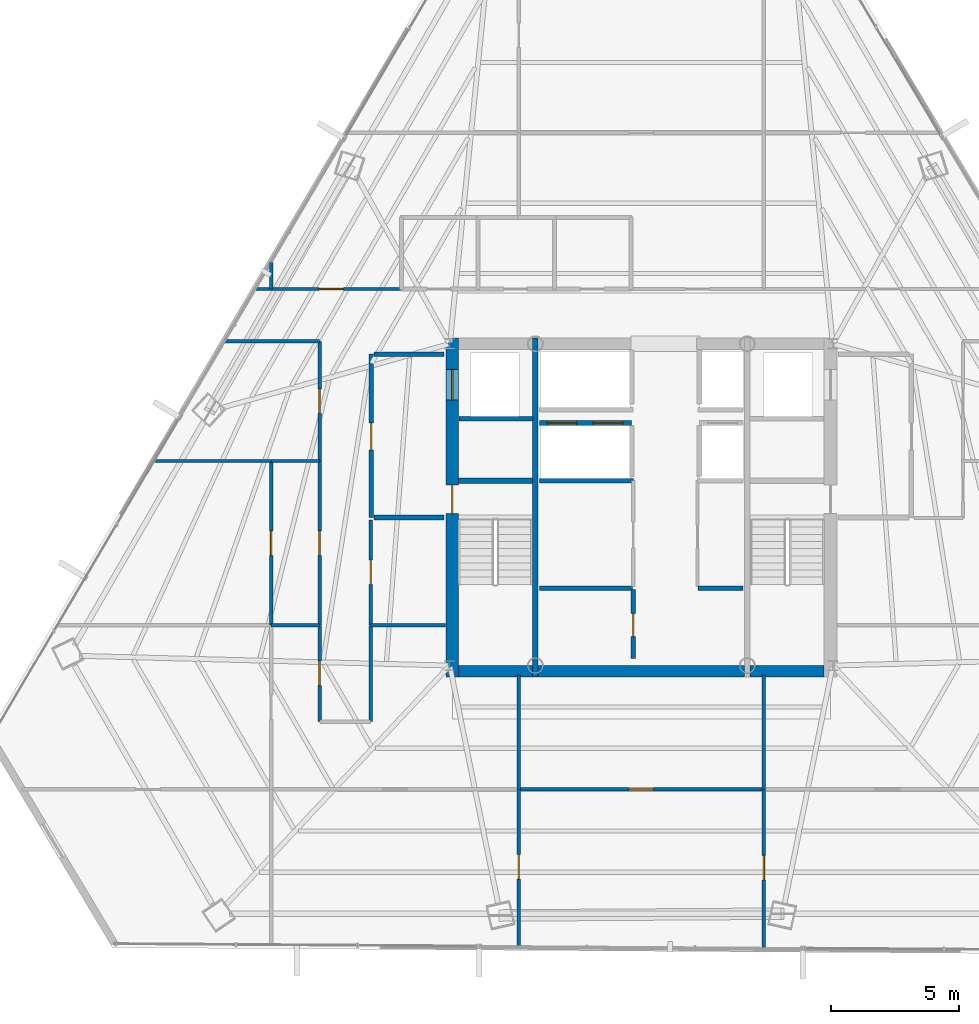
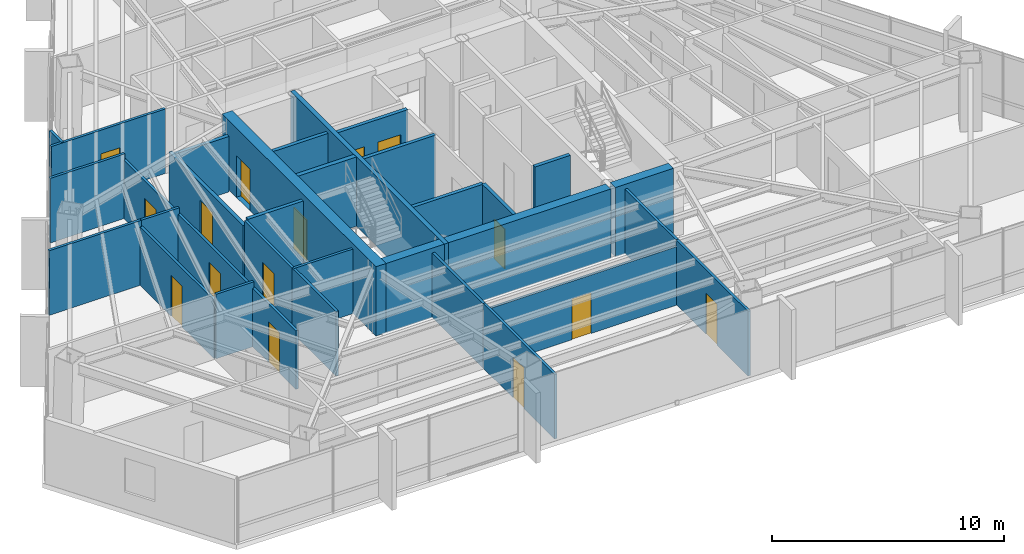
# One storey, part 35 of 41: 33 walls, 15 doors, 15 openings.
"""IFC4 building model written with IfcOpenShell, lengths in metres."""

from ifc_helpers import new_model, si_unit, direction, frame, frame_2d, origin, place, context, subcontext, project, spatial, rectangle, extrude, material, layer, layer_set, type_object, element, fill, save


model = new_model("IFC4")

# Units and contexts
model_context = context("Model", 3, precision=1e-05, world=origin(), true_north=direction((0.0, 1.0)))
body_context = subcontext(model_context, "Body", "Model", "MODEL_VIEW")
ifc_project = project(units=[si_unit("LENGTHUNIT", "METRE"), si_unit("AREAUNIT", "SQUARE_METRE"), si_unit("VOLUMEUNIT", "CUBIC_METRE"), si_unit("PLANEANGLEUNIT", "RADIAN"), si_unit("MASSUNIT", "GRAM", prefix="KILO")], contexts=[model_context])

# Site, building, storey
site_placement = place(None, origin())
site = spatial("IfcSite", under=ifc_project, at=site_placement, CompositionType="ELEMENT")
building_placement = place(site_placement, origin())
building = spatial("IfcBuilding", under=site, at=building_placement, Name="Caelisora Broadcast Tower", CompositionType="ELEMENT")
storey_placement = place(building_placement, frame((0.0, 0.0, 169.449951171875)))
storey = spatial("IfcBuildingStorey", under=building, at=storey_placement, Name="L44", CompositionType="ELEMENT", Elevation=169.449951171875)

# Wall, openings, doors
ifc_material_1 = material(Name="Concrete 50 MPa (AS 3600 S50)", Category="concrete")
ifc_layer_1 = layer(ifc_material_1, 0.5, Name="Concrete 50 MPa (AS 3600 S50)")
ifc_layer_set_1 = layer_set([ifc_layer_1], Name="Concrete 50 MPa (AS 3600 S50)")
wall_type_1 = type_object("IfcWallType", Name="CW2", PredefinedType="SHEAR", material=ifc_layer_set_1)
wall_1_placement = place(storey_placement, frame((30.590087890625, 16.949951171875, 0.0), z_axis=(0.0, 0.0, 1.0), x_axis=(0.0, 1.0, 0.0)))
wall_1 = element("IfcWall", 1, at=wall_1_placement, inside=storey, type_object=wall_type_1, Name="L44 core shear wall CW2", PredefinedType="SHEAR", context=body_context, shape_type="SweptSolid", body=[
    extrude(rectangle(XDim=13.275146484375, YDim=0.5, at=frame_2d((6.6376953125, 0.0))), origin(), (0.0, 0.0, 1.0), 3.650146484375),
])
opening_1_placement = place(wall_1_placement, frame((6.39990234375, 0.0, 0.0)))
opening_1 = element("IfcOpeningElement", 2, at=opening_1_placement, cuts=wall_1, Name="Opening FD04", PredefinedType="OPENING", context=body_context, shape_type="SweptSolid", body=[
    extrude(rectangle(XDim=1.1201171875, YDim=2.14990234375, at=frame_2d((0.56005859375, 1.074951171875))), frame((0.0, 0.261962890625, 0.0), z_axis=(0.0, -1.0, 0.0), x_axis=(1.0, 0.0, 0.0)), (0.0, 0.0, 1.0), 0.52392578125),
])
opening_2_placement = place(wall_1_placement, frame((10.85009765625, 0.0, 0.0)))
opening_2 = element("IfcOpeningElement", 3, at=opening_2_placement, cuts=wall_1, Name="Opening LD04", PredefinedType="OPENING", context=body_context, shape_type="SweptSolid", body=[
    extrude(rectangle(XDim=1.199951171875, YDim=2.199951171875, at=frame_2d((0.60009765625, 1.10009765625))), frame((0.0, 0.261962890625, 0.0), z_axis=(0.0, -1.0, 0.0), x_axis=(1.0, 0.0, 0.0)), (0.0, 0.0, 1.0), 0.52392578125),
])
ifc_material_2 = material(Name="Pressurised Fire-Isolated Stair Door", Category="steel")
door_type_1 = type_object("IfcDoorType", Name="FD04", OperationType="NOTDEFINED", PredefinedType="DOOR", material=ifc_material_2)
door_1_placement = place(opening_1_placement, origin())
door_1 = element("IfcDoor", 4, at=door_1_placement, inside=storey, type_object=door_type_1, Name="L44 door FD04 (L44-DR-ST1)", OperationType="SINGLE_SWING_LEFT", OverallHeight=2.14990234375, OverallWidth=1.1201171875, PredefinedType="DOOR", context=body_context, shape_type="SweptSolid", body=[
    extrude(rectangle(XDim=1.1201171875, YDim=2.14990234375, at=frame_2d((0.56005859375, 1.074951171875))), frame((0.0, 0.02490234375, 0.0), z_axis=(0.0, -1.0, 0.0), x_axis=(1.0, 0.0, 0.0)), (0.0, 0.0, 1.0), 0.050048828125),
])
fill(opening_1, door_1)
ifc_material_3 = material(Name="Emergency Firefighting Lift Sliding Landing Door", Category="steel")
door_type_2 = type_object("IfcDoorType", Name="LD04", OperationType="NOTDEFINED", PredefinedType="DOOR", material=ifc_material_3)
door_2_placement = place(opening_2_placement, origin())
door_2 = element("IfcDoor", 5, at=door_2_placement, inside=storey, type_object=door_type_2, Name="L44 door LD04 (L44-LD-FFL1)", OperationType="SLIDING_TO_LEFT", OverallHeight=2.199951171875, OverallWidth=1.199951171875, PredefinedType="DOOR", context=body_context, shape_type="SweptSolid", body=[
    extrude(rectangle(XDim=1.199951171875, YDim=2.199951171875, at=frame_2d((0.60009765625, 1.10009765625))), frame((0.0, 0.02490234375, 0.0), z_axis=(0.0, -1.0, 0.0), x_axis=(1.0, 0.0, 0.0)), (0.0, 0.0, 1.0), 0.050048828125),
])
fill(opening_2, door_2)

# Walls
ifc_layer_2 = layer(ifc_material_1, 0.449951171875, Name="Concrete 50 MPa (AS 3600 S50)")
ifc_layer_set_2 = layer_set([ifc_layer_2], Name="Concrete 50 MPa (AS 3600 S50)")
wall_type_2 = type_object("IfcWallType", Name="CW5", PredefinedType="SHEAR", material=ifc_layer_set_2)
wall_2_placement = place(storey_placement, frame((30.840087890625, 17.175048828125, 0.0), z_axis=(0.0, 0.0, 1.0), x_axis=(1.0, 0.0, 0.0)))
element("IfcWall", 6, at=wall_2_placement, inside=storey, type_object=wall_type_2, Name="L44 core shear wall CW5", PredefinedType="SHEAR", context=body_context, shape_type="SweptSolid", body=[
    extrude(rectangle(XDim=2.89990234375, YDim=0.449951171875, at=frame_2d((1.449951171875, 0.0))), origin(), (0.0, 0.0, 1.0), 3.650146484375),
])
wall_3_placement = place(storey_placement, frame((33.9599609375, 17.175048828125, 0.0), z_axis=(0.0, 0.0, 1.0), x_axis=(1.0, 0.0, 0.0)))
element("IfcWall", 7, at=wall_3_placement, inside=storey, type_object=wall_type_2, Name="L44 core shear wall CW5", PredefinedType="SHEAR", context=body_context, shape_type="SweptSolid", body=[
    extrude(rectangle(XDim=8.080078125, YDim=0.449951171875, at=frame_2d((4.0400390625, 0.0))), origin(), (0.0, 0.0, 1.0), 3.650146484375),
])
wall_4_placement = place(storey_placement, frame((42.260009765625, 17.175048828125, 0.0), z_axis=(0.0, 0.0, 1.0), x_axis=(1.0, 0.0, 0.0)))
element("IfcWall", 8, at=wall_4_placement, inside=storey, type_object=wall_type_2, Name="L44 core shear wall CW5", PredefinedType="SHEAR", context=body_context, shape_type="SweptSolid", body=[
    extrude(rectangle(XDim=2.89990234375, YDim=0.449951171875, at=frame_2d((1.449951171875, 0.0))), origin(), (0.0, 0.0, 1.0), 3.650146484375),
])
ifc_layer_3 = layer(ifc_material_1, 0.219970703125, Name="Concrete 50 MPa (AS 3600 S50)")
ifc_layer_set_3 = layer_set([ifc_layer_3], Name="Concrete 50 MPa (AS 3600 S50)")
wall_type_3 = type_object("IfcWallType", Name="CW7", PredefinedType="SHEAR", material=ifc_layer_set_3)
wall_5_placement = place(storey_placement, frame((33.85009765625, 16.949951171875, 0.0), z_axis=(0.0, 0.0, 1.0), x_axis=(0.0, 1.0, 0.0)))
element("IfcWall", 9, at=wall_5_placement, inside=storey, type_object=wall_type_3, Name="L44 core shear wall CW7", PredefinedType="SHEAR", context=body_context, shape_type="SweptSolid", body=[
    extrude(rectangle(XDim=13.275146484375, YDim=0.219970703125, at=frame_2d((6.6376953125, 0.0))), origin(), (0.0, 0.0, 1.0), 3.650146484375),
])
wall_6_placement = place(storey_placement, frame((30.840087890625, 24.639892578125, 0.0), z_axis=(0.0, 0.0, 1.0), x_axis=(1.0, 0.0, 0.0)))
element("IfcWall", 10, at=wall_6_placement, inside=storey, type_object=wall_type_3, Name="L44 core shear wall CW7", PredefinedType="SHEAR", context=body_context, shape_type="SweptSolid", body=[
    extrude(rectangle(XDim=2.89990234375, YDim=0.219970703125, at=frame_2d((1.449951171875, 0.0))), origin(), (0.0, 0.0, 1.0), 3.650146484375),
])

# Wall, openings, doors
ifc_material_4 = material(Name="Fire-Rated Gypsum Shaft and Compartment Wall", Category="gypsum")
ifc_layer_4 = layer(ifc_material_4, 0.179931640625, Name="Fire-Rated Gypsum Shaft and Compartment Wall")
ifc_layer_set_4 = layer_set([ifc_layer_4], Name="Fire-Rated Gypsum Shaft and Compartment Wall")
wall_type_4 = type_object("IfcWallType", Name="PW2", PredefinedType="PARTITIONING", material=ifc_layer_set_4)
wall_7_placement = place(storey_placement, frame((34.02001953125, 26.89990234375, 0.0), z_axis=(0.0, 0.0, 1.0), x_axis=(1.0, 0.0, 0.0)))
wall_7 = element("IfcWall", 11, at=wall_7_placement, inside=storey, type_object=wall_type_4, Name="L44 fire compartment wall PW2", PredefinedType="PARTITIONING", context=body_context, shape_type="SweptSolid", body=[
    extrude(rectangle(XDim=3.60009765625, YDim=0.179931640625, at=frame_2d((1.800048828125, 0.0))), origin(), (0.0, 0.0, 1.0), 3.400146484375),
])
opening_3_placement = place(wall_7_placement, frame((0.300048828125, 0.0, 0.0)))
opening_3 = element("IfcOpeningElement", 12, at=opening_3_placement, cuts=wall_7, Name="Opening LD02", PredefinedType="OPENING", context=body_context, shape_type="SweptSolid", body=[
    extrude(rectangle(XDim=1.14990234375, YDim=2.199951171875, at=frame_2d((0.574951171875, 1.10009765625))), frame((0.0, 0.10205078125, 0.0), z_axis=(0.0, -1.0, 0.0), x_axis=(1.0, 0.0, 0.0)), (0.0, 0.0, 1.0), 0.203857421875),
])
opening_4_placement = place(wall_7_placement, frame((2.10009765625, 0.0, 0.0)))
opening_4 = element("IfcOpeningElement", 13, at=opening_4_placement, cuts=wall_7, Name="Opening LD02", PredefinedType="OPENING", context=body_context, shape_type="SweptSolid", body=[
    extrude(rectangle(XDim=1.14990234375, YDim=2.199951171875, at=frame_2d((0.574951171875, 1.10009765625))), frame((0.0, 0.10205078125, 0.0), z_axis=(0.0, -1.0, 0.0), x_axis=(1.0, 0.0, 0.0)), (0.0, 0.0, 1.0), 0.203857421875),
])
ifc_material_5 = material(Name="High-Speed Express Lift Sliding Landing Door", Category="steel")
door_type_3 = type_object("IfcDoorType", Name="LD02", OperationType="NOTDEFINED", PredefinedType="DOOR", material=ifc_material_5)
door_3_placement = place(opening_3_placement, origin())
door_3 = element("IfcDoor", 14, at=door_3_placement, inside=storey, type_object=door_type_3, Name="L44 door LD02 (L44-LD-PLM1)", OperationType="SLIDING_TO_LEFT", OverallHeight=2.199951171875, OverallWidth=1.14990234375, PredefinedType="DOOR", context=body_context, shape_type="SweptSolid", body=[
    extrude(rectangle(XDim=1.14990234375, YDim=2.199951171875, at=frame_2d((0.574951171875, 1.10009765625))), frame((0.0, 0.02490234375, 0.0), z_axis=(0.0, -1.0, 0.0), x_axis=(1.0, 0.0, 0.0)), (0.0, 0.0, 1.0), 0.050048828125),
])
fill(opening_3, door_3)
door_4_placement = place(opening_4_placement, origin())
door_4 = element("IfcDoor", 15, at=door_4_placement, inside=storey, type_object=door_type_3, Name="L44 door LD02 (L44-LD-PLM2)", OperationType="SLIDING_TO_RIGHT", OverallHeight=2.199951171875, OverallWidth=1.14990234375, PredefinedType="DOOR", context=body_context, shape_type="SweptSolid", body=[
    extrude(rectangle(XDim=1.14990234375, YDim=2.199951171875, at=frame_2d((0.574951171875, 1.10009765625))), frame((0.0, 0.02490234375, 0.0), z_axis=(0.0, -1.0, 0.0), x_axis=(1.0, 0.0, 0.0)), (0.0, 0.0, 1.0), 0.050048828125),
])
fill(opening_4, door_4)

# Wall
wall_8_placement = place(storey_placement, frame((34.02001953125, 24.639892578125, 0.0), z_axis=(0.0, 0.0, 1.0), x_axis=(1.0, 0.0, 0.0)))
element("IfcWall", 16, at=wall_8_placement, inside=storey, type_object=wall_type_4, Name="L44 fire compartment wall PW2", PredefinedType="PARTITIONING", context=body_context, shape_type="SweptSolid", body=[
    extrude(rectangle(XDim=3.679931640625, YDim=0.179931640625, at=frame_2d((1.83984375, 0.0))), origin(), (0.0, 0.0, 1.0), 3.400146484375),
])

# Wall, opening, door
wall_9_placement = place(storey_placement, frame((27.419921875, 23.199951171875, 0.0), z_axis=(0.0, 0.0, 1.0), x_axis=(0.0, 1.0, 0.0)))
wall_9 = element("IfcWall", 17, at=wall_9_placement, inside=storey, type_object=wall_type_4, Name="L44 fire compartment wall PW2", PredefinedType="PARTITIONING", context=body_context, shape_type="SweptSolid", body=[
    extrude(rectangle(XDim=6.400146484375, YDim=0.179931640625, at=frame_2d((3.2001953125, 0.0))), origin(), (0.0, 0.0, 1.0), 3.077880859375),
])
opening_5_placement = place(wall_9_placement, frame((2.64990234375, 0.0, 0.0)))
opening_5 = element("IfcOpeningElement", 18, at=opening_5_placement, cuts=wall_9, Name="Opening FD02", PredefinedType="OPENING", context=body_context, shape_type="SweptSolid", body=[
    extrude(rectangle(XDim=1.050048828125, YDim=2.14990234375, at=frame_2d((0.52490234375, 1.074951171875))), frame((0.0, 0.10205078125, 0.0), z_axis=(0.0, -1.0, 0.0), x_axis=(1.0, 0.0, 0.0)), (0.0, 0.0, 1.0), 0.203857421875),
])
ifc_material_6 = material(Name="Single-Leaf Steel Fire Lobby Door", Category="steel")
door_type_4 = type_object("IfcDoorType", Name="FD02", OperationType="NOTDEFINED", PredefinedType="DOOR", material=ifc_material_6)
door_5_placement = place(opening_5_placement, origin())
door_5 = element("IfcDoor", 19, at=door_5_placement, inside=storey, type_object=door_type_4, Name="L44 door FD02 (L44-DR-P01D1)", OperationType="SINGLE_SWING_RIGHT", OverallHeight=2.14990234375, OverallWidth=1.050048828125, PredefinedType="DOOR", context=body_context, shape_type="SweptSolid", body=[
    extrude(rectangle(XDim=1.050048828125, YDim=2.14990234375, at=frame_2d((0.52490234375, 1.074951171875))), frame((0.0, 0.02490234375, 0.0), z_axis=(0.0, -1.0, 0.0), x_axis=(1.0, 0.0, 0.0)), (0.0, 0.0, 1.0), 0.050048828125),
])
fill(opening_5, door_5)

# Walls
wall_10_placement = place(storey_placement, frame((27.52001953125, 23.199951171875, 0.0), z_axis=(0.0, 0.0, 1.0), x_axis=(1.0, 0.0, 0.0)))
element("IfcWall", 20, at=wall_10_placement, inside=storey, type_object=wall_type_4, Name="L44 fire compartment wall PW2", PredefinedType="PARTITIONING", context=body_context, shape_type="SweptSolid", body=[
    extrude(rectangle(XDim=2.760009765625, YDim=0.179931640625, at=frame_2d((1.3798828125, 0.0))), origin(), (0.0, 0.0, 1.0), 3.400146484375),
])
wall_11_placement = place(storey_placement, frame((27.52001953125, 29.60009765625, 0.0), z_axis=(0.0, 0.0, 1.0), x_axis=(1.0, 0.0, 0.0)))
element("IfcWall", 21, at=wall_11_placement, inside=storey, type_object=wall_type_4, Name="L44 fire compartment wall PW2", PredefinedType="PARTITIONING", context=body_context, shape_type="SweptSolid", body=[
    extrude(rectangle(XDim=2.760009765625, YDim=0.179931640625, at=frame_2d((1.3798828125, 0.0))), origin(), (0.0, 0.0, 1.0), 2.924560546875),
])
wall_12_placement = place(storey_placement, frame((30.860107421875, 27.070068359375, 0.0), z_axis=(0.0, 0.0, 1.0), x_axis=(1.0, 0.0, 0.0)))
element("IfcWall", 22, at=wall_12_placement, inside=storey, type_object=wall_type_4, Name="L44 fire compartment wall PW2", PredefinedType="PARTITIONING", context=body_context, shape_type="SweptSolid", body=[
    extrude(rectangle(XDim=2.89990234375, YDim=0.179931640625, at=frame_2d((1.449951171875, 0.0))), origin(), (0.0, 0.0, 1.0), 3.400146484375),
])
wall_13_placement = place(storey_placement, frame((34.02001953125, 20.419921875, 0.0), z_axis=(0.0, 0.0, 1.0), x_axis=(1.0, 0.0, 0.0)))
element("IfcWall", 23, at=wall_13_placement, inside=storey, type_object=wall_type_4, Name="L44 fire compartment wall PW2", PredefinedType="PARTITIONING", context=body_context, shape_type="SweptSolid", body=[
    extrude(rectangle(XDim=3.639892578125, YDim=0.179931640625, at=frame_2d((1.81982421875, 0.0))), origin(), (0.0, 0.0, 1.0), 3.400146484375),
])
wall_14_placement = place(storey_placement, frame((40.219970703125, 20.419921875, 0.0), z_axis=(0.0, 0.0, 1.0), x_axis=(1.0, 0.0, 0.0)))
element("IfcWall", 24, at=wall_14_placement, inside=storey, type_object=wall_type_4, Name="L44 fire compartment wall PW2", PredefinedType="PARTITIONING", context=body_context, shape_type="SweptSolid", body=[
    extrude(rectangle(XDim=1.760009765625, YDim=0.179931640625, at=frame_2d((0.8798828125, 0.0))), origin(), (0.0, 0.0, 1.0), 3.400146484375),
])

# Wall, opening, door
wall_15_placement = place(storey_placement, frame((37.679931640625, 17.679931640625, 0.0), z_axis=(0.0, 0.0, 1.0), x_axis=(0.0, 1.0, 0.0)))
wall_15 = element("IfcWall", 25, at=wall_15_placement, inside=storey, type_object=wall_type_4, Name="L44 fire compartment wall PW2", PredefinedType="PARTITIONING", context=body_context, shape_type="SweptSolid", body=[
    extrude(rectangle(XDim=2.699951171875, YDim=0.179931640625, at=frame_2d((1.35009765625, 0.0))), origin(), (0.0, 0.0, 1.0), 3.400146484375),
])
opening_6_placement = place(wall_15_placement, frame((0.85009765625, 0.0, 0.0)))
opening_6 = element("IfcOpeningElement", 26, at=opening_6_placement, cuts=wall_15, Name="Opening FD03", PredefinedType="OPENING", context=body_context, shape_type="SweptSolid", body=[
    extrude(rectangle(XDim=0.89990234375, YDim=2.10009765625, at=frame_2d((0.449951171875, 1.050048828125))), frame((0.0, 0.10205078125, 0.0), z_axis=(0.0, -1.0, 0.0), x_axis=(1.0, 0.0, 0.0)), (0.0, 0.0, 1.0), 0.203857421875),
])
ifc_material_7 = material(Name="Single-Leaf Steel Riser Fire Access Door", Category="steel")
door_type_5 = type_object("IfcDoorType", Name="FD03", OperationType="NOTDEFINED", PredefinedType="DOOR", material=ifc_material_7)
door_6_placement = place(opening_6_placement, origin())
door_6 = element("IfcDoor", 27, at=door_6_placement, inside=storey, type_object=door_type_5, Name="L44 door FD03 (L44-DR-P13D1)", OperationType="SINGLE_SWING_RIGHT", OverallHeight=2.10009765625, OverallWidth=0.89990234375, PredefinedType="DOOR", context=body_context, shape_type="SweptSolid", body=[
    extrude(rectangle(XDim=0.89990234375, YDim=2.10009765625, at=frame_2d((0.449951171875, 1.050048828125))), frame((0.0, 0.02490234375, 0.0), z_axis=(0.0, -1.0, 0.0), x_axis=(1.0, 0.0, 0.0)), (0.0, 0.0, 1.0), 0.050048828125),
])
fill(opening_6, door_6)

ifc_material_8 = material(Name="Acoustic Steel-Stud Plasterboard Partition", Category="gypsum")
ifc_layer_5 = layer(ifc_material_8, 0.1298828125, Name="Acoustic Steel-Stud Plasterboard Partition")
ifc_layer_set_5 = layer_set([ifc_layer_5], Name="Acoustic Steel-Stud Plasterboard Partition")
wall_type_5 = type_object("IfcWallType", Name="PW3", PredefinedType="PARTITIONING", material=ifc_layer_set_5)
wall_16_placement = place(storey_placement, frame((33.205078125, 12.550048828125, 0.0), z_axis=(0.0, 0.0, 1.0), x_axis=(1.0, 0.0, 0.0)))
wall_16 = element("IfcWall", 28, at=wall_16_placement, inside=storey, type_object=wall_type_5, Name="L44 internal partition PW3", PredefinedType="PARTITIONING", context=body_context, shape_type="SweptSolid", body=[
    extrude(rectangle(XDim=9.58984375, YDim=0.1298828125, at=frame_2d((4.794921875, 0.0))), origin(), (0.0, 0.0, 1.0), 3.077880859375),
])
opening_7_placement = place(wall_16_placement, frame((4.31494140625, 0.0, 0.0)))
opening_7 = element("IfcOpeningElement", 29, at=opening_7_placement, cuts=wall_16, Name="Opening D01", PredefinedType="OPENING", context=body_context, shape_type="SweptSolid", body=[
    extrude(rectangle(XDim=0.9599609375, YDim=2.14990234375, at=frame_2d((0.47998046875, 1.074951171875))), frame((0.0, 0.076904296875, 0.0), z_axis=(0.0, -1.0, 0.0), x_axis=(1.0, 0.0, 0.0)), (0.0, 0.0, 1.0), 0.15380859375),
])
ifc_material_9 = material(Name="Solid-Core Timber Acoustic Office Door", Category="wood")
door_type_6 = type_object("IfcDoorType", Name="D01", OperationType="NOTDEFINED", PredefinedType="DOOR", material=ifc_material_9)
door_7_placement = place(opening_7_placement, origin())
door_7 = element("IfcDoor", 30, at=door_7_placement, inside=storey, type_object=door_type_6, Name="L44 door D01 (L44-DR-P31D1)", OperationType="SINGLE_SWING_RIGHT", OverallHeight=2.14990234375, OverallWidth=0.9599609375, PredefinedType="DOOR", context=body_context, shape_type="SweptSolid", body=[
    extrude(rectangle(XDim=0.9599609375, YDim=2.14990234375, at=frame_2d((0.47998046875, 1.074951171875))), frame((0.0, 0.02490234375, 0.0), z_axis=(0.0, -1.0, 0.0), x_axis=(1.0, 0.0, 0.0)), (0.0, 0.0, 1.0), 0.050048828125),
])
fill(opening_7, door_7)

wall_17_placement = place(storey_placement, frame((25.39990234375, 18.985107421875, 0.0), z_axis=(0.0, 0.0, 1.0), x_axis=(0.0, 1.0, 0.0)))
wall_17 = element("IfcWall", 31, at=wall_17_placement, inside=storey, type_object=wall_type_5, Name="L44 internal partition PW3", PredefinedType="PARTITIONING", context=body_context, shape_type="SweptSolid", body=[
    extrude(rectangle(XDim=6.419921875, YDim=0.1298828125, at=frame_2d((3.2099609375, 0.0))), origin(), (0.0, 0.0, 1.0), 3.077880859375),
])
opening_8_placement = place(wall_17_placement, frame((2.72998046875, 0.0, 0.0)))
opening_8 = element("IfcOpeningElement", 32, at=opening_8_placement, cuts=wall_17, Name="Opening D01", PredefinedType="OPENING", context=body_context, shape_type="SweptSolid", body=[
    extrude(rectangle(XDim=0.9599609375, YDim=2.14990234375, at=frame_2d((0.47998046875, 1.074951171875))), frame((0.0, 0.076904296875, 0.0), z_axis=(0.0, -1.0, 0.0), x_axis=(1.0, 0.0, 0.0)), (0.0, 0.0, 1.0), 0.15380859375),
])
door_8_placement = place(opening_8_placement, origin())
door_8 = element("IfcDoor", 33, at=door_8_placement, inside=storey, type_object=door_type_6, Name="L44 door D01 (L44-DR-P42D1)", OperationType="SINGLE_SWING_LEFT", OverallHeight=2.14990234375, OverallWidth=0.9599609375, PredefinedType="DOOR", context=body_context, shape_type="SweptSolid", body=[
    extrude(rectangle(XDim=0.9599609375, YDim=2.14990234375, at=frame_2d((0.47998046875, 1.074951171875))), frame((0.0, 0.02490234375, 0.0), z_axis=(0.0, -1.0, 0.0), x_axis=(1.0, 0.0, 0.0)), (0.0, 0.0, 1.0), 0.050048828125),
])
fill(opening_8, door_8)

wall_18_placement = place(storey_placement, frame((23.5, 18.985107421875, 0.0), z_axis=(0.0, 0.0, 1.0), x_axis=(0.0, 1.0, 0.0)))
wall_18 = element("IfcWall", 34, at=wall_18_placement, inside=storey, type_object=wall_type_5, Name="L44 internal partition PW3", PredefinedType="PARTITIONING", context=body_context, shape_type="SweptSolid", body=[
    extrude(rectangle(XDim=6.419921875, YDim=0.1298828125, at=frame_2d((3.2099609375, 0.0))), origin(), (0.0, 0.0, 1.0), 3.077880859375),
])
opening_9_placement = place(wall_18_placement, frame((2.72998046875, 0.0, 0.0)))
opening_9 = element("IfcOpeningElement", 35, at=opening_9_placement, cuts=wall_18, Name="Opening D01", PredefinedType="OPENING", context=body_context, shape_type="SweptSolid", body=[
    extrude(rectangle(XDim=0.9599609375, YDim=2.14990234375, at=frame_2d((0.47998046875, 1.074951171875))), frame((0.0, 0.076904296875, 0.0), z_axis=(0.0, -1.0, 0.0), x_axis=(1.0, 0.0, 0.0)), (0.0, 0.0, 1.0), 0.15380859375),
])
door_9_placement = place(opening_9_placement, origin())
door_9 = element("IfcDoor", 36, at=door_9_placement, inside=storey, type_object=door_type_6, Name="L44 door D01 (L44-DR-P43D1)", OperationType="SINGLE_SWING_RIGHT", OverallHeight=2.14990234375, OverallWidth=0.9599609375, PredefinedType="DOOR", context=body_context, shape_type="SweptSolid", body=[
    extrude(rectangle(XDim=0.9599609375, YDim=2.14990234375, at=frame_2d((0.47998046875, 1.074951171875))), frame((0.0, 0.02490234375, 0.0), z_axis=(0.0, -1.0, 0.0), x_axis=(1.0, 0.0, 0.0)), (0.0, 0.0, 1.0), 0.050048828125),
])
fill(opening_9, door_9)

wall_19_placement = place(storey_placement, frame((42.800048828125, 6.328857421875, 0.0), z_axis=(0.0, 0.0, 1.0), x_axis=(0.0, 1.0, 0.0)))
wall_19 = element("IfcWall", 37, at=wall_19_placement, inside=storey, type_object=wall_type_5, Name="L44 internal partition PW3", PredefinedType="PARTITIONING", context=body_context, shape_type="SweptSolid", body=[
    extrude(rectangle(XDim=6.216064453125, YDim=0.1298828125, at=frame_2d((3.10791015625, 0.0))), origin(), (0.0, 0.0, 1.0), 3.400146484375),
])
opening_10_placement = place(wall_19_placement, frame((2.677001953125, 0.0, 0.0)))
opening_10 = element("IfcOpeningElement", 38, at=opening_10_placement, cuts=wall_19, Name="Opening D01", PredefinedType="OPENING", context=body_context, shape_type="SweptSolid", body=[
    extrude(rectangle(XDim=0.9599609375, YDim=2.14990234375, at=frame_2d((0.47998046875, 1.074951171875))), frame((0.0, 0.076904296875, 0.0), z_axis=(0.0, -1.0, 0.0), x_axis=(1.0, 0.0, 0.0)), (0.0, 0.0, 1.0), 0.15380859375),
])
door_10_placement = place(opening_10_placement, origin())
door_10 = element("IfcDoor", 39, at=door_10_placement, inside=storey, type_object=door_type_6, Name="L44 door D01 (L44-DR-P48D1)", OperationType="SINGLE_SWING_LEFT", OverallHeight=2.14990234375, OverallWidth=0.9599609375, PredefinedType="DOOR", context=body_context, shape_type="SweptSolid", body=[
    extrude(rectangle(XDim=0.9599609375, YDim=2.14990234375, at=frame_2d((0.47998046875, 1.074951171875))), frame((0.0, 0.02490234375, 0.0), z_axis=(0.0, -1.0, 0.0), x_axis=(1.0, 0.0, 0.0)), (0.0, 0.0, 1.0), 0.050048828125),
])
fill(opening_10, door_10)

wall_20_placement = place(storey_placement, frame((33.199951171875, 6.39208984375, 0.0), z_axis=(0.0, 0.0, 1.0), x_axis=(0.0, 1.0, 0.0)))
wall_20 = element("IfcWall", 40, at=wall_20_placement, inside=storey, type_object=wall_type_5, Name="L44 internal partition PW3", PredefinedType="PARTITIONING", context=body_context, shape_type="SweptSolid", body=[
    extrude(rectangle(XDim=6.15283203125, YDim=0.1298828125, at=frame_2d((3.076416015625, 0.0))), origin(), (0.0, 0.0, 1.0), 3.400146484375),
])
opening_11_placement = place(wall_20_placement, frame((2.64306640625, 0.0, 0.0)))
opening_11 = element("IfcOpeningElement", 41, at=opening_11_placement, cuts=wall_20, Name="Opening D01", PredefinedType="OPENING", context=body_context, shape_type="SweptSolid", body=[
    extrude(rectangle(XDim=0.9599609375, YDim=2.14990234375, at=frame_2d((0.47998046875, 1.074951171875))), frame((0.0, 0.076904296875, 0.0), z_axis=(0.0, -1.0, 0.0), x_axis=(1.0, 0.0, 0.0)), (0.0, 0.0, 1.0), 0.15380859375),
])
door_11_placement = place(opening_11_placement, origin())
door_11 = element("IfcDoor", 42, at=door_11_placement, inside=storey, type_object=door_type_6, Name="L44 door D01 (L44-DR-P49D1)", OperationType="SINGLE_SWING_RIGHT", OverallHeight=2.14990234375, OverallWidth=0.9599609375, PredefinedType="DOOR", context=body_context, shape_type="SweptSolid", body=[
    extrude(rectangle(XDim=0.9599609375, YDim=2.14990234375, at=frame_2d((0.47998046875, 1.074951171875))), frame((0.0, 0.02490234375, 0.0), z_axis=(0.0, -1.0, 0.0), x_axis=(1.0, 0.0, 0.0)), (0.0, 0.0, 1.0), 0.050048828125),
])
fill(opening_11, door_11)

wall_21_placement = place(storey_placement, frame((22.91455078125, 32.14990234375, 0.0), z_axis=(0.0, 0.0, 1.0), x_axis=(1.0, 0.0, 0.0)))
wall_21 = element("IfcWall", 43, at=wall_21_placement, inside=storey, type_object=wall_type_5, Name="L44 internal partition PW3", PredefinedType="PARTITIONING", context=body_context, shape_type="SweptSolid", body=[
    extrude(rectangle(XDim=5.680419921875, YDim=0.1298828125, at=frame_2d((2.84033203125, 0.0))), origin(), (0.0, 0.0, 1.0), 3.400146484375),
])
opening_12_placement = place(wall_21_placement, frame((2.4599609375, 0.0, 0.0)))
opening_12 = element("IfcOpeningElement", 44, at=opening_12_placement, cuts=wall_21, Name="Opening D01", PredefinedType="OPENING", context=body_context, shape_type="SweptSolid", body=[
    extrude(rectangle(XDim=0.9599609375, YDim=2.14990234375, at=frame_2d((0.47998046875, 1.074951171875))), frame((0.0, 0.076904296875, 0.0), z_axis=(0.0, -1.0, 0.0), x_axis=(1.0, 0.0, 0.0)), (0.0, 0.0, 1.0), 0.15380859375),
])
door_12_placement = place(opening_12_placement, origin())
door_12 = element("IfcDoor", 45, at=door_12_placement, inside=storey, type_object=door_type_6, Name="L44 door D01 (L44-DR-P53D1)", OperationType="SINGLE_SWING_RIGHT", OverallHeight=2.14990234375, OverallWidth=0.9599609375, PredefinedType="DOOR", context=body_context, shape_type="SweptSolid", body=[
    extrude(rectangle(XDim=0.9599609375, YDim=2.14990234375, at=frame_2d((0.47998046875, 1.074951171875))), frame((0.0, 0.02490234375, 0.0), z_axis=(0.0, -1.0, 0.0), x_axis=(1.0, 0.0, 0.0)), (0.0, 0.0, 1.0), 0.050048828125),
])
fill(opening_12, door_12)

# Wall
wall_22_placement = place(storey_placement, frame((18.913818359375, 25.409912109375, 0.0), z_axis=(0.0, 0.0, 1.0), x_axis=(1.0, 0.0, 0.0)))
element("IfcWall", 46, at=wall_22_placement, inside=storey, type_object=wall_type_5, Name="L44 internal partition PW3", PredefinedType="PARTITIONING", context=body_context, shape_type="SweptSolid", body=[
    extrude(rectangle(XDim=4.581298828125, YDim=0.1298828125, at=frame_2d((2.29052734375, 0.0))), origin(), (0.0, 0.0, 1.0), 3.400146484375),
])

# Wall, opening, door
wall_23_placement = place(storey_placement, frame((25.39990234375, 30.094970703125, 0.0), z_axis=(0.0, 0.0, 1.0), x_axis=(0.0, -1.0, 0.0)))
wall_23 = element("IfcWall", 47, at=wall_23_placement, inside=storey, type_object=wall_type_5, Name="L44 internal partition PW3", PredefinedType="PARTITIONING", context=body_context, shape_type="SweptSolid", body=[
    extrude(rectangle(XDim=4.679931640625, YDim=0.1298828125, at=frame_2d((2.33984375, 0.0))), origin(), (0.0, 0.0, 1.0), 3.077880859375),
])
opening_13_placement = place(wall_23_placement, frame((1.860107421875, 0.0, 0.0)))
opening_13 = element("IfcOpeningElement", 48, at=opening_13_placement, cuts=wall_23, Name="Opening D01", PredefinedType="OPENING", context=body_context, shape_type="SweptSolid", body=[
    extrude(rectangle(XDim=0.9599609375, YDim=2.14990234375, at=frame_2d((0.47998046875, 1.074951171875))), frame((0.0, 0.076904296875, 0.0), z_axis=(0.0, -1.0, 0.0), x_axis=(1.0, 0.0, 0.0)), (0.0, 0.0, 1.0), 0.15380859375),
])
door_13_placement = place(opening_13_placement, origin())
door_13 = element("IfcDoor", 49, at=door_13_placement, inside=storey, type_object=door_type_6, Name="L44 door D01 (L44-DR-P56D1)", OperationType="SINGLE_SWING_LEFT", OverallHeight=2.14990234375, OverallWidth=0.9599609375, PredefinedType="DOOR", context=body_context, shape_type="SweptSolid", body=[
    extrude(rectangle(XDim=0.9599609375, YDim=2.14990234375, at=frame_2d((0.47998046875, 1.074951171875))), frame((0.0, 0.02490234375, 0.0), z_axis=(0.0, -1.0, 0.0), x_axis=(1.0, 0.0, 0.0)), (0.0, 0.0, 1.0), 0.050048828125),
])
fill(opening_13, door_13)

# Walls
for number, where, z_axis, x_axis, name in (
    (50, (33.199951171875, 12.554931640625, 0.0), (0.0, 0.0, 1.0), (0.0, 1.0, 0.0), "L44 internal partition PW3"),
    (51, (42.800048828125, 12.554931640625, 0.0), (0.0, 0.0, 1.0), (0.0, 1.0, 0.0), "L44 internal partition PW3"),
):
    element("IfcWall", number, at=place(storey_placement, frame(where, z_axis=z_axis, x_axis=x_axis)), inside=storey, type_object=wall_type_5, Name=name, PredefinedType="PARTITIONING", context=body_context, shape_type="SweptSolid", body=[
        extrude(rectangle(XDim=4.469970703125, YDim=0.1298828125, at=frame_2d((2.23486328125, 0.0))), origin(), (0.0, 0.0, 1.0), 3.400146484375),
    ])

# Wall, opening, door
wall_24_placement = place(storey_placement, frame((27.39990234375, 18.985107421875, 0.0), z_axis=(0.0, 0.0, 1.0), x_axis=(0.0, 1.0, 0.0)))
wall_24 = element("IfcWall", 52, at=wall_24_placement, inside=storey, type_object=wall_type_5, Name="L44 internal partition PW3", PredefinedType="PARTITIONING", context=body_context, shape_type="SweptSolid", body=[
    extrude(rectangle(XDim=4.119873046875, YDim=0.1298828125, at=frame_2d((2.06005859375, 0.0))), origin(), (0.0, 0.0, 1.0), 3.400146484375),
])
opening_14_placement = place(wall_24_placement, frame((1.580078125, 0.0, 0.0)))
opening_14 = element("IfcOpeningElement", 53, at=opening_14_placement, cuts=wall_24, Name="Opening D01", PredefinedType="OPENING", context=body_context, shape_type="SweptSolid", body=[
    extrude(rectangle(XDim=0.9599609375, YDim=2.14990234375, at=frame_2d((0.47998046875, 1.074951171875))), frame((0.0, 0.076904296875, 0.0), z_axis=(0.0, -1.0, 0.0), x_axis=(1.0, 0.0, 0.0)), (0.0, 0.0, 1.0), 0.15380859375),
])
door_14_placement = place(opening_14_placement, origin())
door_14 = element("IfcDoor", 54, at=door_14_placement, inside=storey, type_object=door_type_6, Name="L44 door D01 (L44-DR-P60D1)", OperationType="SINGLE_SWING_LEFT", OverallHeight=2.14990234375, OverallWidth=0.9599609375, PredefinedType="DOOR", context=body_context, shape_type="SweptSolid", body=[
    extrude(rectangle(XDim=0.9599609375, YDim=2.14990234375, at=frame_2d((0.47998046875, 1.074951171875))), frame((0.0, 0.02490234375, 0.0), z_axis=(0.0, -1.0, 0.0), x_axis=(1.0, 0.0, 0.0)), (0.0, 0.0, 1.0), 0.050048828125),
])
fill(opening_14, door_14)

# Wall
wall_25_placement = place(storey_placement, frame((21.6796875, 30.10009765625, 0.0), z_axis=(0.0, 0.0, 1.0), x_axis=(1.0, 0.0, 0.0)))
element("IfcWall", 55, at=wall_25_placement, inside=storey, type_object=wall_type_5, Name="L44 internal partition PW3", PredefinedType="PARTITIONING", context=body_context, shape_type="SweptSolid", body=[
    extrude(rectangle(XDim=3.71533203125, YDim=0.1298828125, at=frame_2d((1.857666015625, 0.0))), origin(), (0.0, 0.0, 1.0), 3.400146484375),
])

# Wall, opening, door
wall_26_placement = place(storey_placement, frame((25.39990234375, 18.97509765625, 0.0), z_axis=(0.0, 0.0, 1.0), x_axis=(0.0, -1.0, 0.0)))
wall_26 = element("IfcWall", 56, at=wall_26_placement, inside=storey, type_object=wall_type_5, Name="L44 internal partition PW3", PredefinedType="PARTITIONING", context=body_context, shape_type="SweptSolid", body=[
    extrude(rectangle(XDim=3.77001953125, YDim=0.1298828125, at=frame_2d((1.885009765625, 0.0))), origin(), (0.0, 0.0, 1.0), 3.077880859375),
])
opening_15_placement = place(wall_26_placement, frame((1.405029296875, 0.0, 0.0)))
opening_15 = element("IfcOpeningElement", 57, at=opening_15_placement, cuts=wall_26, Name="Opening D01", PredefinedType="OPENING", context=body_context, shape_type="SweptSolid", body=[
    extrude(rectangle(XDim=0.9599609375, YDim=2.14990234375, at=frame_2d((0.47998046875, 1.074951171875))), frame((0.0, 0.076904296875, 0.0), z_axis=(0.0, -1.0, 0.0), x_axis=(1.0, 0.0, 0.0)), (0.0, 0.0, 1.0), 0.15380859375),
])
door_15_placement = place(opening_15_placement, origin())
door_15 = element("IfcDoor", 58, at=door_15_placement, inside=storey, type_object=door_type_6, Name="L44 door D01 (L44-DR-P63D1)", OperationType="SINGLE_SWING_RIGHT", OverallHeight=2.14990234375, OverallWidth=0.9599609375, PredefinedType="DOOR", context=body_context, shape_type="SweptSolid", body=[
    extrude(rectangle(XDim=0.9599609375, YDim=2.14990234375, at=frame_2d((0.47998046875, 1.074951171875))), frame((0.0, 0.02490234375, 0.0), z_axis=(0.0, -1.0, 0.0), x_axis=(1.0, 0.0, 0.0)), (0.0, 0.0, 1.0), 0.050048828125),
])
fill(opening_15, door_15)

# Walls
wall_27_placement = place(storey_placement, frame((27.39990234375, 15.205078125, 0.0), z_axis=(0.0, 0.0, 1.0), x_axis=(0.0, 1.0, 0.0)))
element("IfcWall", 59, at=wall_27_placement, inside=storey, type_object=wall_type_5, Name="L44 internal partition PW3", PredefinedType="PARTITIONING", context=body_context, shape_type="SweptSolid", body=[
    extrude(rectangle(XDim=3.77001953125, YDim=0.1298828125, at=frame_2d((1.885009765625, 0.0))), origin(), (0.0, 0.0, 1.0), 3.400146484375),
])
wall_28_placement = place(storey_placement, frame((27.405029296875, 18.97998046875, 0.0), z_axis=(0.0, 0.0, 1.0), x_axis=(1.0, 0.0, 0.0)))
element("IfcWall", 60, at=wall_28_placement, inside=storey, type_object=wall_type_5, Name="L44 internal partition PW3", PredefinedType="PARTITIONING", context=body_context, shape_type="SweptSolid", body=[
    extrude(rectangle(XDim=2.919921875, YDim=0.1298828125, at=frame_2d((1.4599609375, 0.0))), origin(), (0.0, 0.0, 1.0), 3.400146484375),
])
for number, where, z_axis, x_axis, name in (
    (61, (23.5048828125, 18.97998046875, 0.0), (0.0, 0.0, 1.0), (1.0, 0.0, 0.0), "L44 internal partition PW3"),
    (62, (23.5048828125, 25.409912109375, 0.0), (0.0, 0.0, 1.0), (1.0, 0.0, 0.0), "L44 internal partition PW3"),
):
    element("IfcWall", number, at=place(storey_placement, frame(where, z_axis=z_axis, x_axis=x_axis)), inside=storey, type_object=wall_type_5, Name=name, PredefinedType="PARTITIONING", context=body_context, shape_type="SweptSolid", body=[
        extrude(rectangle(XDim=1.89013671875, YDim=0.1298828125, at=frame_2d((0.945068359375, 0.0))), origin(), (0.0, 0.0, 1.0), 3.400146484375),
    ])
wall_29_placement = place(storey_placement, frame((23.5, 32.155029296875, 0.0), z_axis=(0.0, 0.0, 1.0), x_axis=(0.0, 1.0, 0.0)))
element("IfcWall", 63, at=wall_29_placement, inside=storey, type_object=wall_type_5, Name="L44 internal partition PW3", PredefinedType="PARTITIONING", context=body_context, shape_type="SweptSolid", body=[
    extrude(rectangle(XDim=1.03125, YDim=0.1298828125, at=frame_2d((0.515625, 0.0))), origin(), (0.0, 0.0, 1.0), 3.400146484375),
])

save(model, "model.ifc")
